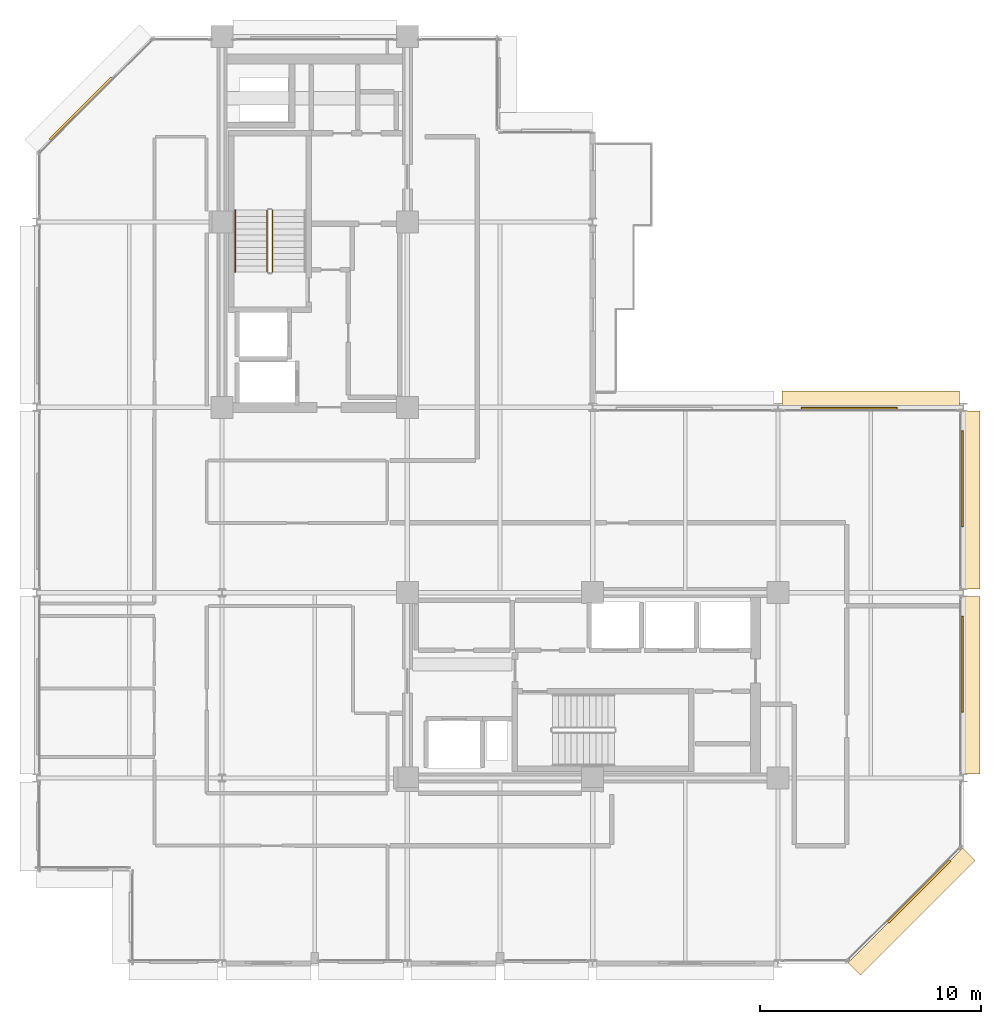
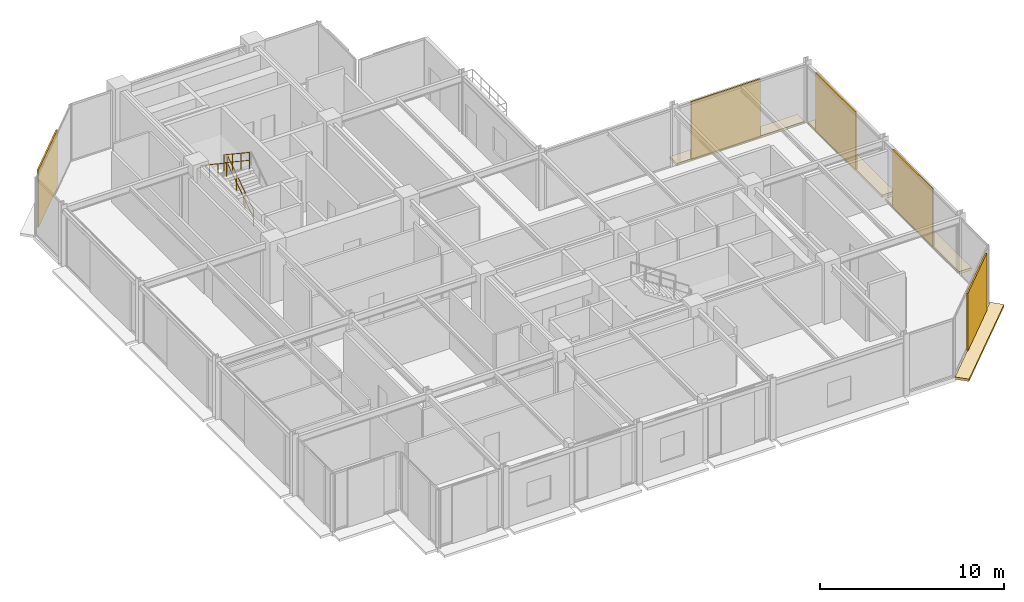
# One storey, part 25 of 26: 9 coverings, 3 railings.
"""IFC4 building model written with IfcOpenShell, lengths in metres."""

from ifc_helpers import new_model, si_unit, direction, frame, origin, origin_2d, place, context, subcontext, project, spatial, polyline, rectangle, circle, outline, extrude, material, layer, layer_set, type_object, element, save


model = new_model("IFC4")

# Units and contexts
model_context = context("Model", 3, precision=1e-05, world=origin(), true_north=direction((0.0, 1.0)))
body_context = subcontext(model_context, "Body", "Model", "MODEL_VIEW")
ifc_project = project(units=[si_unit("LENGTHUNIT", "METRE"), si_unit("AREAUNIT", "SQUARE_METRE"), si_unit("VOLUMEUNIT", "CUBIC_METRE"), si_unit("PLANEANGLEUNIT", "RADIAN"), si_unit("MASSUNIT", "GRAM", prefix="KILO")], contexts=[model_context])

# Site, building, storey
site_placement = place(None, origin())
site = spatial("IfcSite", under=ifc_project, at=site_placement, CompositionType="ELEMENT")
building_placement = place(site_placement, origin())
building = spatial("IfcBuilding", under=site, at=building_placement, Name="Nerrivon Quay Data Exchange", CompositionType="ELEMENT")
storey_placement = place(building_placement, frame((0.0, 0.0, 228.800048828125)))
storey = spatial("IfcBuildingStorey", under=building, at=storey_placement, Name="L54", CompositionType="ELEMENT", Elevation=228.800048828125)

# Coverings
ifc_material_1 = material(Name="Architectural terracotta ceramic", Category="masonry")
ifc_layer_1 = layer(ifc_material_1, 0.159912109375)
ifc_layer_set_1 = layer_set([ifc_layer_1], Name="Architectural terracotta ceramic")
covering_type_1 = type_object("IfcCoveringType", Name="COV-BLD-TERR", PredefinedType="CLADDING", material=ifc_layer_set_1)
covering_1_placement = place(storey_placement, frame((0.0, 0.0, -0.16015625)))
element("IfcCovering", 1, at=covering_1_placement, inside=storey, type_object=covering_type_1, Name="L54 Horizontal Terracotta SOLAR SCREEN Blade", PredefinedType="CLADDING", context=body_context, shape_type="SweptSolid", body=[
    extrude(outline(polyline([(41.9716796875, 5.228271484375), (36.771728515625, 0.0283203125), (37.330322265625, -0.5302734375), (42.5302734375, 4.669677734375), (41.9716796875, 5.228271484375)])), origin(), (0.0, 0.0, 1.0), 0.16015625),
])
covering_2_placement = place(storey_placement, frame((0.0, 0.0, -0.16015625)))
element("IfcCovering", 2, at=covering_2_placement, inside=storey, type_object=covering_type_1, Name="L54 Horizontal Terracotta SOLAR SCREEN Blade", PredefinedType="CLADDING", context=body_context, shape_type="SweptSolid", body=[
    extrude(outline(polyline([(33.77490234375, 25.159912109375), (41.824951171875, 25.159912109375), (41.824951171875, 25.949951171875), (33.77490234375, 25.949951171875), (33.77490234375, 25.159912109375)])), origin(), (0.0, 0.0, 1.0), 0.16015625),
])
covering_3_placement = place(storey_placement, frame((0.0, 0.0, -0.16015625)))
element("IfcCovering", 3, at=covering_3_placement, inside=storey, type_object=covering_type_1, Name="L54 Horizontal Terracotta SOLAR SCREEN Blade", PredefinedType="CLADDING", context=body_context, shape_type="SweptSolid", body=[
    extrude(outline(polyline([(41.9599609375, 25.02490234375), (41.9599609375, 16.97509765625), (42.75, 16.97509765625), (42.75, 25.02490234375), (41.9599609375, 25.02490234375)])), origin(), (0.0, 0.0, 1.0), 0.16015625),
])
covering_4_placement = place(storey_placement, frame((0.0, 0.0, -0.16015625)))
element("IfcCovering", 4, at=covering_4_placement, inside=storey, type_object=covering_type_1, Name="L54 Horizontal Terracotta SOLAR SCREEN Blade", PredefinedType="CLADDING", context=body_context, shape_type="SweptSolid", body=[
    extrude(outline(polyline([(41.9599609375, 16.625), (41.9599609375, 8.574951171875), (42.75, 8.574951171875), (42.75, 16.625), (41.9599609375, 16.625)])), origin(), (0.0, 0.0, 1.0), 0.16015625),
])
ifc_layer_2 = layer(ifc_material_1, 0.090087890625)
ifc_layer_set_2 = layer_set([ifc_layer_2], Name="Architectural terracotta ceramic")
covering_type_2 = type_object("IfcCoveringType", Name="COV-SCR-TERR", PredefinedType="CLADDING", material=ifc_layer_set_2)
for number, where, z_axis, x_axis, name in (
    (5, (39.9921875, 3.255859375, 0.0), (0.0, 0.0, 1.0), (-0.707106781187, -0.707106781187, 0.0), "L54 Perforated Terracotta SOLAR SCREEN Cassette"),
    (6, (2.0078125, 38.744140625, 0.0), (0.0, 0.0, 1.0), (0.707106781187, 0.707106781187, 0.0), "L54 Perforated Terracotta SOLAR SCREEN Cassette"),
):
    element("IfcCovering", number, at=place(storey_placement, frame(where, z_axis=z_axis, x_axis=x_axis)), inside=storey, type_object=covering_type_2, Name=name, PredefinedType="CLADDING", context=body_context, shape_type="SweptSolid", body=[
        extrude(rectangle(XDim=3.970947265625, YDim=0.090087890625, at=origin_2d()), origin(), (0.0, 0.0, 1.0), 3.824951171875),
    ])
for number, where, z_axis, x_axis, name in (
    (7, (36.833984375, 25.155029296875, 0.0), (0.0, 0.0, 1.0), (1.0, 0.0, 0.0), "L54 Perforated Terracotta SOLAR SCREEN Cassette"),
    (8, (41.955078125, 21.966064453125, 0.0), (0.0, 0.0, 1.0), (0.0, -1.0, 0.0), "L54 Perforated Terracotta SOLAR SCREEN Cassette"),
    (9, (41.955078125, 13.56591796875, 0.0), (0.0, 0.0, 1.0), (0.0, -1.0, 0.0), "L54 Perforated Terracotta SOLAR SCREEN Cassette"),
):
    element("IfcCovering", number, at=place(storey_placement, frame(where, z_axis=z_axis, x_axis=x_axis)), inside=storey, type_object=covering_type_2, Name=name, PredefinedType="CLADDING", context=body_context, shape_type="SweptSolid", body=[
        extrude(rectangle(XDim=4.346923828125, YDim=0.090087890625, at=origin_2d()), origin(), (0.0, 0.0, 1.0), 3.824951171875),
    ])

# Railings
ifc_material_2 = material(Name="Steel Grade C350L0 (350 MPa)", Category="steel")
railing_type_1 = type_object("IfcRailingType", Name="RAIL-HAND-HR1", PredefinedType="HANDRAIL", material=ifc_material_2)
railing_1_placement = place(storey_placement, frame((9.0, 34.1298828125, 2.236328125)))
element("IfcRailing", 10, at=railing_1_placement, inside=storey, type_object=railing_type_1, Name="L54 ST01 stair handrail 2", PredefinedType="HANDRAIL", context=body_context, shape_type="SweptSolid", body=[
    extrude(circle(Radius=0.02392578125, at=origin_2d()), frame((0.0, 0.0, 0.8759765625), z_axis=(0.0, -0.832463268671, 0.554080234545), x_axis=(1.0, 0.0, 0.0)), (0.0, 0.0, 1.0), 3.36328125),
    extrude(circle(Radius=0.02099609375, at=origin_2d()), origin(), (0.0, 0.0, 1.0), 0.851806640625),
    extrude(circle(Radius=0.02099609375, at=origin_2d()), frame((0.0, -0.933349609375, 0.62109375)), (0.0, 0.0, 1.0), 0.851806640625),
    extrude(circle(Radius=0.02099609375, at=origin_2d()), frame((0.0, -1.866455078125, 1.242431640625)), (0.0, 0.0, 1.0), 0.851806640625),
    extrude(circle(Radius=0.02099609375, at=origin_2d()), frame((0.0, -2.7998046875, 1.863525390625)), (0.0, 0.0, 1.0), 0.851806640625),
])
railing_type_2 = type_object("IfcRailingType", Name="RAIL-STAIR-GR1", PredefinedType="BALUSTRADE", material=ifc_material_2)
railing_2_placement = place(storey_placement, frame((10.699951171875, 31.330078125, 0.186279296875)))
element("IfcRailing", 11, at=railing_2_placement, inside=storey, type_object=railing_type_2, Name="L54 ST01 stair guard 1", PredefinedType="BALUSTRADE", context=body_context, shape_type="SweptSolid", body=[
    extrude(circle(Radius=0.02392578125, at=origin_2d()), frame((0.0, 0.0, 1.076171875), z_axis=(0.0, 0.832429786209, 0.554130536094), x_axis=(-1.0, 0.0, 0.0)), (0.0, 0.0, 1.0), 3.363525390625),
    extrude(circle(Radius=0.02392578125, at=origin_2d()), frame((0.0, 0.0, 0.550048828125), z_axis=(0.0, 0.832429786209, 0.554130536094), x_axis=(-1.0, 0.0, 0.0)), (0.0, 0.0, 1.0), 3.363525390625),
    extrude(circle(Radius=0.02099609375, at=origin_2d()), origin(), (0.0, 0.0, 1.0), 1.052001953125),
    extrude(circle(Radius=0.02099609375, at=origin_2d()), frame((0.0, 0.933349609375, 0.621337890625)), (0.0, 0.0, 1.0), 1.052001953125),
    extrude(circle(Radius=0.02099609375, at=origin_2d()), frame((0.0, 1.866455078125, 1.242431640625)), (0.0, 0.0, 1.0), 1.052001953125),
    extrude(circle(Radius=0.02099609375, at=origin_2d()), frame((0.0, 2.7998046875, 1.86376953125)), (0.0, 0.0, 1.0), 1.052001953125),
])
railing_3_placement = place(storey_placement, frame((10.449951171875, 34.1298828125, 2.236328125)))
element("IfcRailing", 12, at=railing_3_placement, inside=storey, type_object=railing_type_2, Name="L54 ST01 stair guard 3", PredefinedType="BALUSTRADE", context=body_context, shape_type="SweptSolid", body=[
    extrude(circle(Radius=0.02392578125, at=origin_2d()), frame((0.0, 0.0, 1.076171875), z_axis=(0.0, -0.832463268671, 0.554080234545), x_axis=(1.0, 0.0, 0.0)), (0.0, 0.0, 1.0), 3.36328125),
    extrude(circle(Radius=0.02392578125, at=origin_2d()), frame((0.0, 0.0, 0.550048828125), z_axis=(0.0, -0.832463268671, 0.554080234545), x_axis=(1.0, 0.0, 0.0)), (0.0, 0.0, 1.0), 3.36328125),
    extrude(circle(Radius=0.02099609375, at=origin_2d()), origin(), (0.0, 0.0, 1.0), 1.052001953125),
    extrude(circle(Radius=0.02099609375, at=origin_2d()), frame((0.0, -0.933349609375, 0.62109375)), (0.0, 0.0, 1.0), 1.052001953125),
    extrude(circle(Radius=0.02099609375, at=origin_2d()), frame((0.0, -1.866455078125, 1.242431640625)), (0.0, 0.0, 1.0), 1.052001953125),
    extrude(circle(Radius=0.02099609375, at=origin_2d()), frame((0.0, -2.7998046875, 1.863525390625)), (0.0, 0.0, 1.0), 1.052001953125),
])

save(model, "model.ifc")
